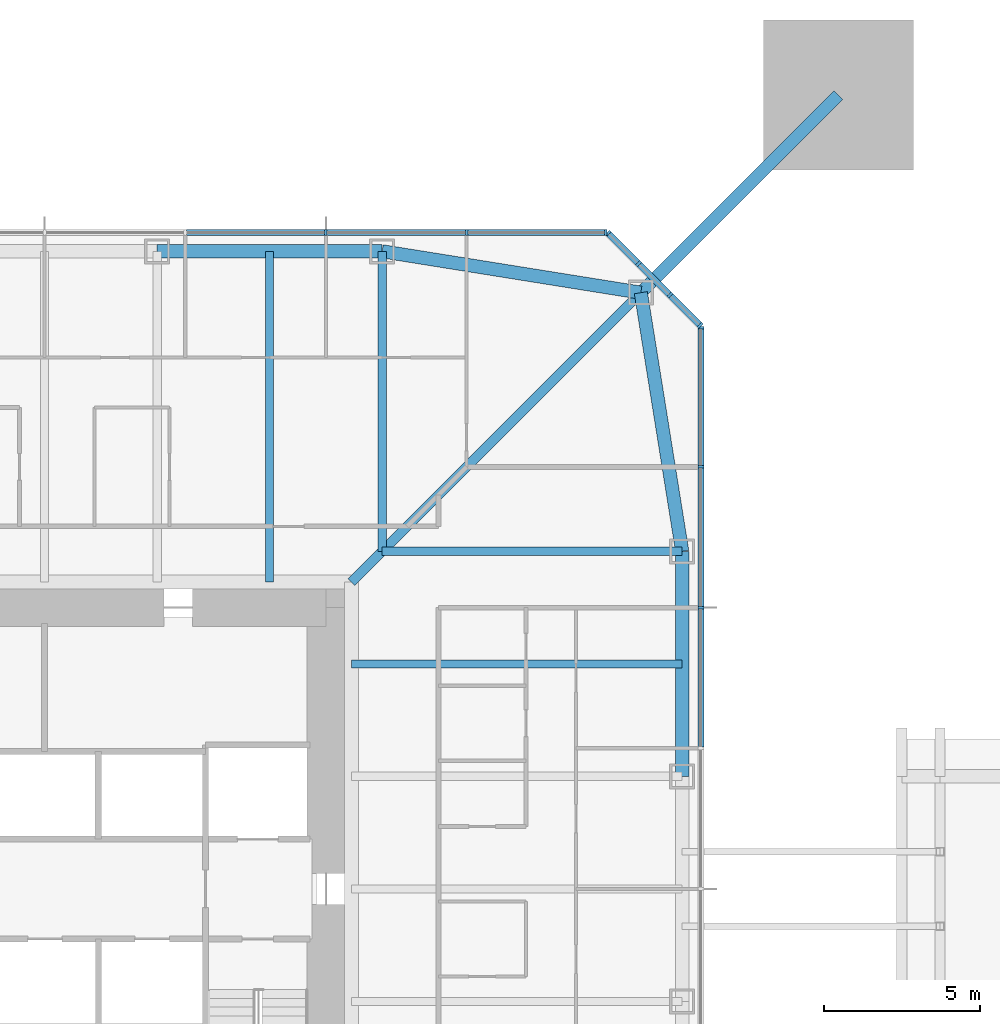
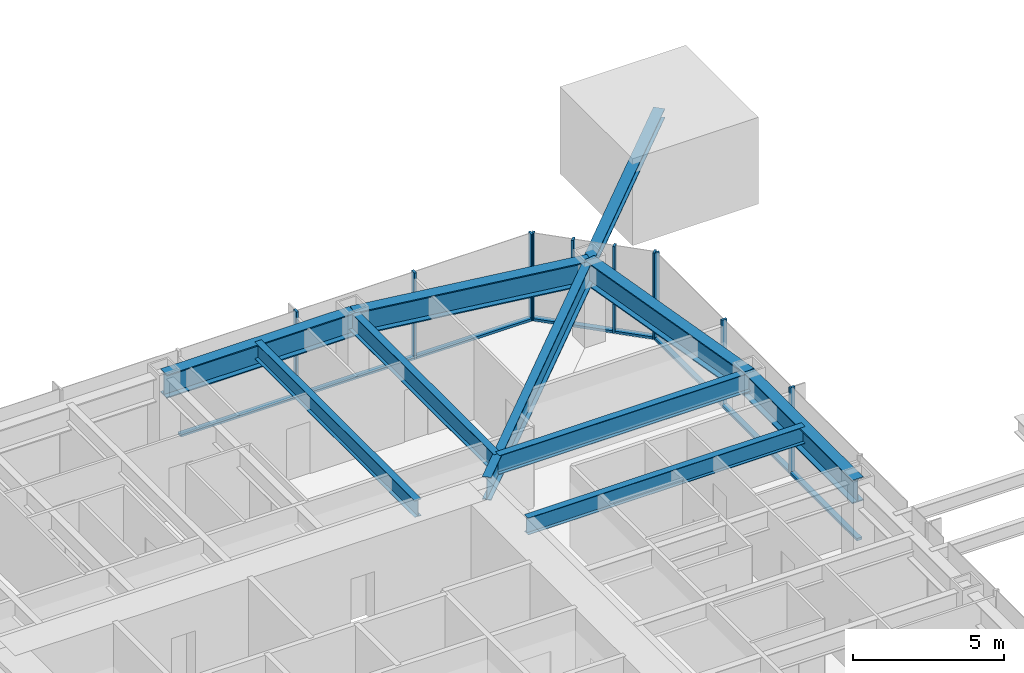
# One storey, part 8 of 27: 20 members, 9 beams, 3 elements without a shape of their own.
"""IFC4 building model written with IfcOpenShell, lengths in metres."""

from ifc_helpers import new_model, si_unit, direction, frame, origin, origin_2d, place, context, subcontext, project, spatial, rectangle, i_section, extrude, material, material_profile, profile_set, type_object, element, aggregate, save


model = new_model("IFC4")

# Units and contexts
model_context = context("Model", 3, precision=1e-05, world=origin(), true_north=direction((0.0, 1.0)))
body_context = subcontext(model_context, "Body", "Model", "MODEL_VIEW")
ifc_project = project(units=[si_unit("LENGTHUNIT", "METRE"), si_unit("AREAUNIT", "SQUARE_METRE"), si_unit("VOLUMEUNIT", "CUBIC_METRE"), si_unit("PLANEANGLEUNIT", "RADIAN"), si_unit("MASSUNIT", "GRAM", prefix="KILO")], contexts=[model_context])

# Site, building, storey
site_placement = place(None, origin())
site = spatial("IfcSite", under=ifc_project, at=site_placement, CompositionType="ELEMENT")
building_placement = place(site_placement, origin())
building = spatial("IfcBuilding", under=site, at=building_placement, Name="Iwan Alto Co-Living Towers", CompositionType="ELEMENT")
storey_placement = place(building_placement, frame((0.0, 0.0, 94.5)))
storey = spatial("IfcBuildingStorey", under=building, at=storey_placement, Name="L25", CompositionType="ELEMENT", Elevation=94.5)

# Curtain wall, members
ifc_material_1 = material(Name="Bronze aluminium unitised frame", Category="aluminium")
curtain_wall_type_1 = type_object("IfcCurtainWallType", Name="CURTAIN WALL CW-A", PredefinedType="NOTDEFINED", material=ifc_material_1)
curtain_wall_1_placement = place(storey_placement, origin())
curtain_wall_1 = element("IfcCurtainWall", 1, at=curtain_wall_1_placement, inside=storey, type_object=curtain_wall_type_1, Name="T1 curtain wall E L25", PredefinedType="NOTDEFINED")
ifc_material_2 = material(Name="Aluminium 6063-T6 bronze anodised", Category="aluminium")
ifc_material_profile_1 = material_profile(ifc_material_2, rectangle(XDim=0.199951171875, YDim=0.080078125, at=origin_2d()), Name="AL 80X200")
ifc_profile_set_1 = profile_set([ifc_material_profile_1], Name="Aluminium 6063-T6 bronze anodised")
member_type_1 = type_object("IfcMemberType", Name="CW-A MULLION 80X200", PredefinedType="MULLION", material=ifc_profile_set_1)
member_1_placement = place(storey_placement, frame((21.0, 9.0, 0.0), z_axis=(0.0, 0.0, 1.0), x_axis=(-1.0, 0.0, 0.0)))
member_1 = element("IfcMember", 2, at=member_1_placement, type_object=member_type_1, Name="CW-A mullion 7", PredefinedType="MULLION", context=body_context, shape_type="SweptSolid", body=[
    extrude(rectangle(XDim=0.199951171875, YDim=0.080078125, at=origin_2d()), origin(), (0.0, 0.0, 1.0), 3.5),
])
member_2_placement = place(storey_placement, frame((21.0, 13.5, 0.0), z_axis=(0.0, 0.0, 1.0), x_axis=(-1.0, 0.0, 0.0)))
member_2 = element("IfcMember", 3, at=member_2_placement, type_object=member_type_1, Name="CW-A mullion 8", PredefinedType="MULLION", context=body_context, shape_type="SweptSolid", body=[
    extrude(rectangle(XDim=0.199951171875, YDim=0.080078125, at=origin_2d()), origin(), (0.0, 0.0, 1.0), 3.5),
])
member_3_placement = place(storey_placement, frame((21.0, 17.9599609375, 0.0), z_axis=(0.0, 0.0, 1.0), x_axis=(-1.0, 0.0, 0.0)))
member_3 = element("IfcMember", 4, at=member_3_placement, type_object=member_type_1, Name="CW-A mullion 9", PredefinedType="MULLION", context=body_context, shape_type="SweptSolid", body=[
    extrude(rectangle(XDim=0.199951171875, YDim=0.080078125, at=origin_2d()), origin(), (0.0, 0.0, 1.0), 3.5),
])

curtain_wall_2_placement = place(storey_placement, origin())
curtain_wall_2 = element("IfcCurtainWall", 5, at=curtain_wall_2_placement, inside=storey, type_object=curtain_wall_type_1, Name="T1 curtain wall N L25", PredefinedType="NOTDEFINED")
member_4_placement = place(storey_placement, frame((17.9599609375, 21.0, 0.0), z_axis=(0.0, 0.0, 1.0), x_axis=(0.0, -1.0, 0.0)))
member_4 = element("IfcMember", 6, at=member_4_placement, type_object=member_type_1, Name="CW-A mullion 1", PredefinedType="MULLION", context=body_context, shape_type="SweptSolid", body=[
    extrude(rectangle(XDim=0.199951171875, YDim=0.080078125, at=origin_2d()), origin(), (0.0, 0.0, 1.0), 3.5),
])
member_5_placement = place(storey_placement, frame((13.5, 21.0, 0.0), z_axis=(0.0, 0.0, 1.0), x_axis=(0.0, -1.0, 0.0)))
member_5 = element("IfcMember", 7, at=member_5_placement, type_object=member_type_1, Name="CW-A mullion 2", PredefinedType="MULLION", context=body_context, shape_type="SweptSolid", body=[
    extrude(rectangle(XDim=0.199951171875, YDim=0.080078125, at=origin_2d()), origin(), (0.0, 0.0, 1.0), 3.5),
])
member_6_placement = place(storey_placement, frame((9.0, 21.0, 0.0), z_axis=(0.0, 0.0, 1.0), x_axis=(0.0, -1.0, 0.0)))
member_6 = element("IfcMember", 8, at=member_6_placement, type_object=member_type_1, Name="CW-A mullion 3", PredefinedType="MULLION", context=body_context, shape_type="SweptSolid", body=[
    extrude(rectangle(XDim=0.199951171875, YDim=0.080078125, at=origin_2d()), origin(), (0.0, 0.0, 1.0), 3.5),
])

# Member
ifc_material_3 = material(Name="Aluminium 6063-T6 bronze anodised", Category="aluminium")
ifc_material_profile_2 = material_profile(ifc_material_3, rectangle(XDim=0.199951171875, YDim=0.10009765625, at=origin_2d()), Name="AL 200X100")
ifc_profile_set_2 = profile_set([ifc_material_profile_2], Name="Aluminium 6063-T6 bronze anodised")
member_type_2 = type_object("IfcMemberType", Name="CW-A TRANSOM 200X100", PredefinedType="USERDEFINED", material=ifc_profile_set_2)
member_7_placement = place(storey_placement, frame((21.0, 4.5400390625, 0.050048828125), z_axis=(0.0, 1.0, 0.0), x_axis=(-1.0, 0.0, 0.0)))
member_7 = element("IfcMember", 9, at=member_7_placement, type_object=member_type_2, Name="CW-A transom 6.1", ObjectType="TRANSOM", PredefinedType="USERDEFINED", context=body_context, shape_type="SweptSolid", body=[
    extrude(rectangle(XDim=0.199951171875, YDim=0.10009765625, at=origin_2d()), origin(), (0.0, 0.0, 1.0), 4.419921875),
])

member_8_placement = place(storey_placement, frame((21.0, 9.0400390625, 0.050048828125), z_axis=(0.0, 1.0, 0.0), x_axis=(-1.0, 0.0, 0.0)))
member_8 = element("IfcMember", 10, at=member_8_placement, type_object=member_type_2, Name="CW-A transom 7.1", ObjectType="TRANSOM", PredefinedType="USERDEFINED", context=body_context, shape_type="SweptSolid", body=[
    extrude(rectangle(XDim=0.199951171875, YDim=0.10009765625, at=origin_2d()), origin(), (0.0, 0.0, 1.0), 4.419921875),
])

member_9_placement = place(storey_placement, frame((21.0, 13.5400390625, 0.050048828125), z_axis=(0.0, 1.0, 0.0), x_axis=(-1.0, 0.0, 0.0)))
member_9 = element("IfcMember", 11, at=member_9_placement, type_object=member_type_2, Name="CW-A transom 8.1", ObjectType="TRANSOM", PredefinedType="USERDEFINED", context=body_context, shape_type="SweptSolid", body=[
    extrude(rectangle(XDim=0.199951171875, YDim=0.10009765625, at=origin_2d()), origin(), (0.0, 0.0, 1.0), 4.3798828125),
])

aggregate(curtain_wall_1, [member_1, member_2, member_3, member_7, member_8, member_9])

member_10_placement = place(storey_placement, frame((17.919921875, 21.0, 0.050048828125), z_axis=(-1.0, 0.0, 0.0), x_axis=(0.0, -1.0, 0.0)))
member_10 = element("IfcMember", 12, at=member_10_placement, type_object=member_type_2, Name="CW-A transom 1.1", ObjectType="TRANSOM", PredefinedType="USERDEFINED", context=body_context, shape_type="SweptSolid", body=[
    extrude(rectangle(XDim=0.199951171875, YDim=0.10009765625, at=origin_2d()), origin(), (0.0, 0.0, 1.0), 4.3798828125),
])

member_11_placement = place(storey_placement, frame((13.4599609375, 21.0, 0.050048828125), z_axis=(-1.0, 0.0, 0.0), x_axis=(0.0, -1.0, 0.0)))
member_11 = element("IfcMember", 13, at=member_11_placement, type_object=member_type_2, Name="CW-A transom 2.1", ObjectType="TRANSOM", PredefinedType="USERDEFINED", context=body_context, shape_type="SweptSolid", body=[
    extrude(rectangle(XDim=0.199951171875, YDim=0.10009765625, at=origin_2d()), origin(), (0.0, 0.0, 1.0), 4.419921875),
])

member_12_placement = place(storey_placement, frame((8.9599609375, 21.0, 0.050048828125), z_axis=(-1.0, 0.0, 0.0), x_axis=(0.0, -1.0, 0.0)))
member_12 = element("IfcMember", 14, at=member_12_placement, type_object=member_type_2, Name="CW-A transom 3.1", ObjectType="TRANSOM", PredefinedType="USERDEFINED", context=body_context, shape_type="SweptSolid", body=[
    extrude(rectangle(XDim=0.199951171875, YDim=0.10009765625, at=origin_2d()), origin(), (0.0, 0.0, 1.0), 4.419921875),
])

aggregate(curtain_wall_2, [member_4, member_5, member_6, member_10, member_11, member_12])

# Curtain wall, members
ifc_material_4 = material(Name="Bronze aluminium unitised frame", Category="aluminium")
curtain_wall_type_2 = type_object("IfcCurtainWallType", Name="CURTAIN WALL CW-B", PredefinedType="NOTDEFINED", material=ifc_material_4)
curtain_wall_3_placement = place(storey_placement, origin())
curtain_wall_3 = element("IfcCurtainWall", 15, at=curtain_wall_3_placement, inside=storey, type_object=curtain_wall_type_2, Name="T1 chamfer curtain wall NE L25", PredefinedType="NOTDEFINED")
ifc_material_5 = material(Name="Aluminium 6063-T6 bronze anodised", Category="aluminium")
ifc_material_profile_3 = material_profile(ifc_material_5, rectangle(XDim=0.199951171875, YDim=0.080078125, at=origin_2d()), Name="AL 80X200")
ifc_profile_set_3 = profile_set([ifc_material_profile_3], Name="Aluminium 6063-T6 bronze anodised")
member_type_3 = type_object("IfcMemberType", Name="CW-B MULLION 80X200", PredefinedType="MULLION", material=ifc_profile_set_3)
member_13_placement = place(storey_placement, frame((20.9716796875, 18.0283203125, 0.0), z_axis=(0.0, 0.0, 1.0), x_axis=(-0.707106781187, -0.707106781187, 0.0)))
member_13 = element("IfcMember", 16, at=member_13_placement, type_object=member_type_3, Name="CW-B mullion 1", PredefinedType="MULLION", context=body_context, shape_type="SweptSolid", body=[
    extrude(rectangle(XDim=0.199951171875, YDim=0.080078125, at=origin_2d()), origin(), (0.0, 0.0, 1.0), 3.5),
])
member_14_placement = place(storey_placement, frame((20.0, 19.0, 0.0), z_axis=(0.0, 0.0, 1.0), x_axis=(-0.707106781187, -0.707106781187, 0.0)))
member_14 = element("IfcMember", 17, at=member_14_placement, type_object=member_type_3, Name="CW-B mullion 2", PredefinedType="MULLION", context=body_context, shape_type="SweptSolid", body=[
    extrude(rectangle(XDim=0.199951171875, YDim=0.080078125, at=origin_2d()), origin(), (0.0, 0.0, 1.0), 3.5),
])
member_15_placement = place(storey_placement, frame((19.0, 20.0, 0.0), z_axis=(0.0, 0.0, 1.0), x_axis=(-0.707106781187, -0.707106781187, 0.0)))
member_15 = element("IfcMember", 18, at=member_15_placement, type_object=member_type_3, Name="CW-B mullion 3", PredefinedType="MULLION", context=body_context, shape_type="SweptSolid", body=[
    extrude(rectangle(XDim=0.199951171875, YDim=0.080078125, at=origin_2d()), origin(), (0.0, 0.0, 1.0), 3.5),
])
member_16_placement = place(storey_placement, frame((18.0283203125, 20.9716796875, 0.0), z_axis=(0.0, 0.0, 1.0), x_axis=(-0.707106781187, -0.707106781187, 0.0)))
member_16 = element("IfcMember", 19, at=member_16_placement, type_object=member_type_3, Name="CW-B mullion 4", PredefinedType="MULLION", context=body_context, shape_type="SweptSolid", body=[
    extrude(rectangle(XDim=0.199951171875, YDim=0.080078125, at=origin_2d()), origin(), (0.0, 0.0, 1.0), 3.5),
])
ifc_material_6 = material(Name="Aluminium 6063-T6 bronze anodised", Category="aluminium")
ifc_material_profile_4 = material_profile(ifc_material_6, rectangle(XDim=0.199951171875, YDim=0.10009765625, at=origin_2d()), Name="AL 200X100")
ifc_profile_set_4 = profile_set([ifc_material_profile_4], Name="Aluminium 6063-T6 bronze anodised")
member_type_4 = type_object("IfcMemberType", Name="CW-B TRANSOM 200X100", PredefinedType="USERDEFINED", material=ifc_profile_set_4)
member_17_placement = place(storey_placement, frame((20.943359375, 18.056640625, 0.050048828125), z_axis=(-0.707106781187, 0.707106781187, 0.0), x_axis=(-0.707106781187, -0.707106781187, 0.0)))
member_17 = element("IfcMember", 20, at=member_17_placement, type_object=member_type_4, Name="CW-B transom 1.1", ObjectType="TRANSOM", PredefinedType="USERDEFINED", context=body_context, shape_type="SweptSolid", body=[
    extrude(rectangle(XDim=0.199951171875, YDim=0.10009765625, at=origin_2d()), origin(), (0.0, 0.0, 1.0), 1.2939453125),
])
member_18_placement = place(storey_placement, frame((19.9716796875, 19.0283203125, 0.050048828125), z_axis=(-0.707106781187, 0.707106781187, 0.0), x_axis=(-0.707106781187, -0.707106781187, 0.0)))
member_18 = element("IfcMember", 21, at=member_18_placement, type_object=member_type_4, Name="CW-B transom 2.1", ObjectType="TRANSOM", PredefinedType="USERDEFINED", context=body_context, shape_type="SweptSolid", body=[
    extrude(rectangle(XDim=0.199951171875, YDim=0.10009765625, at=origin_2d()), origin(), (0.0, 0.0, 1.0), 1.334228515625),
])
member_19_placement = place(storey_placement, frame((18.9716796875, 20.0283203125, 0.050048828125), z_axis=(-0.707106781187, 0.707106781187, 0.0), x_axis=(-0.707106781187, -0.707106781187, 0.0)))
member_19 = element("IfcMember", 22, at=member_19_placement, type_object=member_type_4, Name="CW-B transom 3.1", ObjectType="TRANSOM", PredefinedType="USERDEFINED", context=body_context, shape_type="SweptSolid", body=[
    extrude(rectangle(XDim=0.199951171875, YDim=0.10009765625, at=origin_2d()), origin(), (0.0, 0.0, 1.0), 1.2939453125),
])
aggregate(curtain_wall_3, [member_13, member_14, member_15, member_16, member_17, member_18, member_19])

# Beams
ifc_material_7 = material(Name="Steel ASTM A992 Gr 50", Category="steel")
ifc_material_profile_5 = material_profile(ifc_material_7, i_section(OverallWidth=0.307373046875, OverallDepth=0.927001953125, WebThickness=0.01953125, FlangeThickness=0.031982421875, at=origin_2d()), Name="W36X194")
ifc_profile_set_5 = profile_set([ifc_material_profile_5], Name="Steel ASTM A992 Gr 50")
beam_type_1 = type_object("IfcBeamType", Name="T1 CORNER GIRDER W36X194", PredefinedType="BEAM", material=ifc_profile_set_5)
beam_1_placement = place(storey_placement, frame((19.07568359375, 19.07568359375, 2.806396484375), z_axis=(-0.707106781187, -0.707106781187, 0.0), x_axis=(0.707106781187, -0.707106781187, 0.0)))
element("IfcBeam", 23, at=beam_1_placement, inside=storey, type_object=beam_type_1, Name="T1 corner girder CNE L26", PredefinedType="BEAM", context=body_context, shape_type="SweptSolid", body=[
    extrude(i_section(OverallWidth=0.307373046875, OverallDepth=0.927001953125, WebThickness=0.01953125, FlangeThickness=0.031982421875, at=origin_2d()), origin(), (0.0, 0.0, 1.0), 13.091796875),
])
ifc_material_8 = material(Name="Steel ASTM A992 Gr 50", Category="steel")
ifc_material_profile_6 = material_profile(ifc_material_8, i_section(OverallWidth=0.424072265625, OverallDepth=0.947509765625, WebThickness=0.02392578125, FlangeThickness=0.042724609375, at=origin_2d()), Name="W36X302")
ifc_profile_set_6 = profile_set([ifc_material_profile_6], Name="Steel ASTM A992 Gr 50")
beam_type_2 = type_object("IfcBeamType", Name="T1 EDGE BEAM W36X302", PredefinedType="BEAM", material=ifc_profile_set_6)
beam_2_placement = place(storey_placement, frame((20.39990234375, 3.60009765625, 2.79638671875), z_axis=(0.0, 1.0, 0.0), x_axis=(-1.0, 0.0, 0.0)))
element("IfcBeam", 24, at=beam_2_placement, inside=storey, type_object=beam_type_2, Name="T1 edge beam E3 L26", PredefinedType="BEAM", context=body_context, shape_type="SweptSolid", body=[
    extrude(i_section(OverallWidth=0.424072265625, OverallDepth=0.947509765625, WebThickness=0.02392578125, FlangeThickness=0.042724609375, at=origin_2d()), origin(), (0.0, 0.0, 1.0), 7.199951171875),
])
for number, where, z_axis, x_axis, name in (
    (25, (20.39990234375, 10.800048828125, 2.79638671875), (-0.158004134737, 0.987438450439, 0.0), (-0.987438450439, -0.158004134737, 0.0), "T1 edge beam E4 L26"),
    (26, (19.07568359375, 19.07568359375, 2.79638671875), (-0.987438450439, 0.158004134737, 0.0), (-0.158004134737, -0.987438450439, 0.0), "T1 edge beam CNE L26"),
):
    element("IfcBeam", number, at=place(storey_placement, frame(where, z_axis=z_axis, x_axis=x_axis)), inside=storey, type_object=beam_type_2, Name=name, PredefinedType="BEAM", context=body_context, shape_type="SweptSolid", body=[
        extrude(i_section(OverallWidth=0.424072265625, OverallDepth=0.947509765625, WebThickness=0.02392578125, FlangeThickness=0.042724609375, at=origin_2d()), origin(), (0.0, 0.0, 1.0), 8.380859375),
    ])
beam_3_placement = place(storey_placement, frame((10.800048828125, 20.39990234375, 2.79638671875), z_axis=(-1.0, 0.0, 0.0), x_axis=(0.0, -1.0, 0.0)))
element("IfcBeam", 27, at=beam_3_placement, inside=storey, type_object=beam_type_2, Name="T1 edge beam N1 L26", PredefinedType="BEAM", context=body_context, shape_type="SweptSolid", body=[
    extrude(i_section(OverallWidth=0.424072265625, OverallDepth=0.947509765625, WebThickness=0.02392578125, FlangeThickness=0.042724609375, at=origin_2d()), origin(), (0.0, 0.0, 1.0), 7.199951171875),
])

# Member
ifc_material_9 = material(Name="Steel ASTM A992 Gr 50", Category="steel")
ifc_material_profile_7 = material_profile(ifc_material_9, i_section(OverallWidth=0.393798828125, OverallDepth=0.3759765625, WebThickness=0.017333984375, FlangeThickness=0.027587890625, at=origin_2d()), Name="W14X145")
ifc_profile_set_7 = profile_set([ifc_material_profile_7], Name="Steel ASTM A992 Gr 50")
member_type_5 = type_object("IfcMemberType", Name="T1 MEGA COLUMN FLOOR TIE W14X145", PredefinedType="STRUT", material=ifc_profile_set_7)
member_20_placement = place(storey_placement, frame((25.39990234375, 25.39990234375, 3.08203125), z_axis=(-0.707106781187, -0.707106781187, 0.0), x_axis=(0.707106781187, -0.707106781187, 0.0)))
element("IfcMember", 28, at=member_20_placement, inside=storey, type_object=member_type_5, Name="T1 mega column floor tie NE L26", PredefinedType="STRUT", context=body_context, shape_type="SweptSolid", body=[
    extrude(i_section(OverallWidth=0.393798828125, OverallDepth=0.3759765625, WebThickness=0.017333984375, FlangeThickness=0.027587890625, at=origin_2d()), origin(), (0.0, 0.0, 1.0), 8.94384765625),
])

# Beams
ifc_material_10 = material(Name="Steel ASTM A992 Gr 50", Category="steel")
ifc_material_profile_8 = material_profile(ifc_material_10, i_section(OverallWidth=0.2666015625, OverallDepth=0.761962890625, WebThickness=0.014404296875, FlangeThickness=0.021484375, at=origin_2d()), Name="W30X116")
ifc_profile_set_8 = profile_set([ifc_material_profile_8], Name="Steel ASTM A992 Gr 50")
beam_type_3 = type_object("IfcBeamType", Name="T1 RADIAL BEAM W30X116", PredefinedType="BEAM", material=ifc_profile_set_8)
for number, where, z_axis, x_axis, name in (
    (29, (20.39990234375, 10.800048828125, 2.888916015625), (-1.0, 0.0, 0.0), (0.0, -1.0, 0.0), "T1 radial beam E4 L26"),
    (30, (10.800048828125, 20.39990234375, 2.888916015625), (0.0, -1.0, 0.0), (1.0, 0.0, 0.0), "T1 radial beam N1 L26"),
):
    element("IfcBeam", number, at=place(storey_placement, frame(where, z_axis=z_axis, x_axis=x_axis)), inside=storey, type_object=beam_type_3, Name=name, PredefinedType="BEAM", context=body_context, shape_type="SweptSolid", body=[
        extrude(i_section(OverallWidth=0.2666015625, OverallDepth=0.761962890625, WebThickness=0.014404296875, FlangeThickness=0.021484375, at=origin_2d()), origin(), (0.0, 0.0, 1.0), 9.599853515625),
    ])
ifc_material_11 = material(Name="Steel ASTM A992 Gr 50", Category="steel")
ifc_material_profile_9 = material_profile(ifc_material_11, i_section(OverallWidth=0.25390625, OverallDepth=0.683349609375, WebThickness=0.012451171875, FlangeThickness=0.018798828125, at=origin_2d()), Name="W27X94")
ifc_profile_set_9 = profile_set([ifc_material_profile_9], Name="Steel ASTM A992 Gr 50")
beam_type_4 = type_object("IfcBeamType", Name="T1 SECONDARY BEAM W27X94", PredefinedType="JOIST", material=ifc_profile_set_9)
for number, where, z_axis, x_axis, name in (
    (31, (20.39990234375, 7.199951171875, 2.928466796875), (-1.0, 0.0, 0.0), (0.0, -1.0, 0.0), "T1 secondary beam E3 L26"),
    (32, (7.199951171875, 20.39990234375, 2.928466796875), (0.0, -1.0, 0.0), (1.0, 0.0, 0.0), "T1 secondary beam N1 L26"),
):
    element("IfcBeam", number, at=place(storey_placement, frame(where, z_axis=z_axis, x_axis=x_axis)), inside=storey, type_object=beam_type_4, Name=name, PredefinedType="JOIST", context=body_context, shape_type="SweptSolid", body=[
        extrude(i_section(OverallWidth=0.25390625, OverallDepth=0.683349609375, WebThickness=0.012451171875, FlangeThickness=0.018798828125, at=origin_2d()), origin(), (0.0, 0.0, 1.0), 10.58154296875),
    ])

save(model, "model.ifc")
